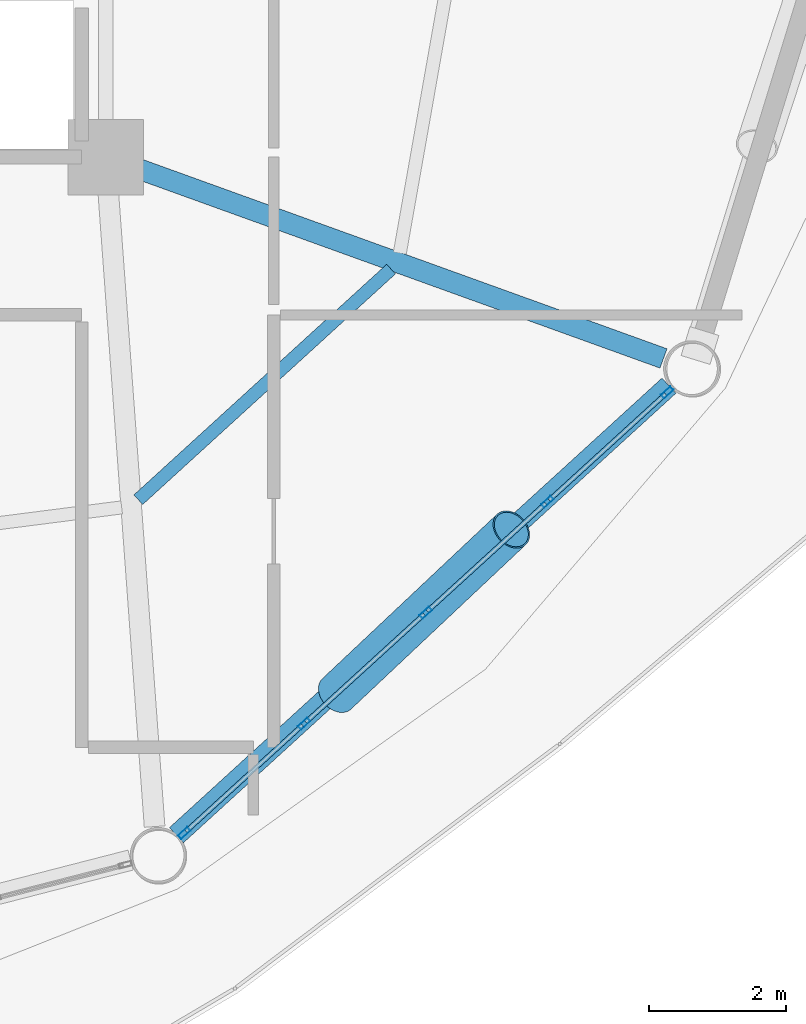
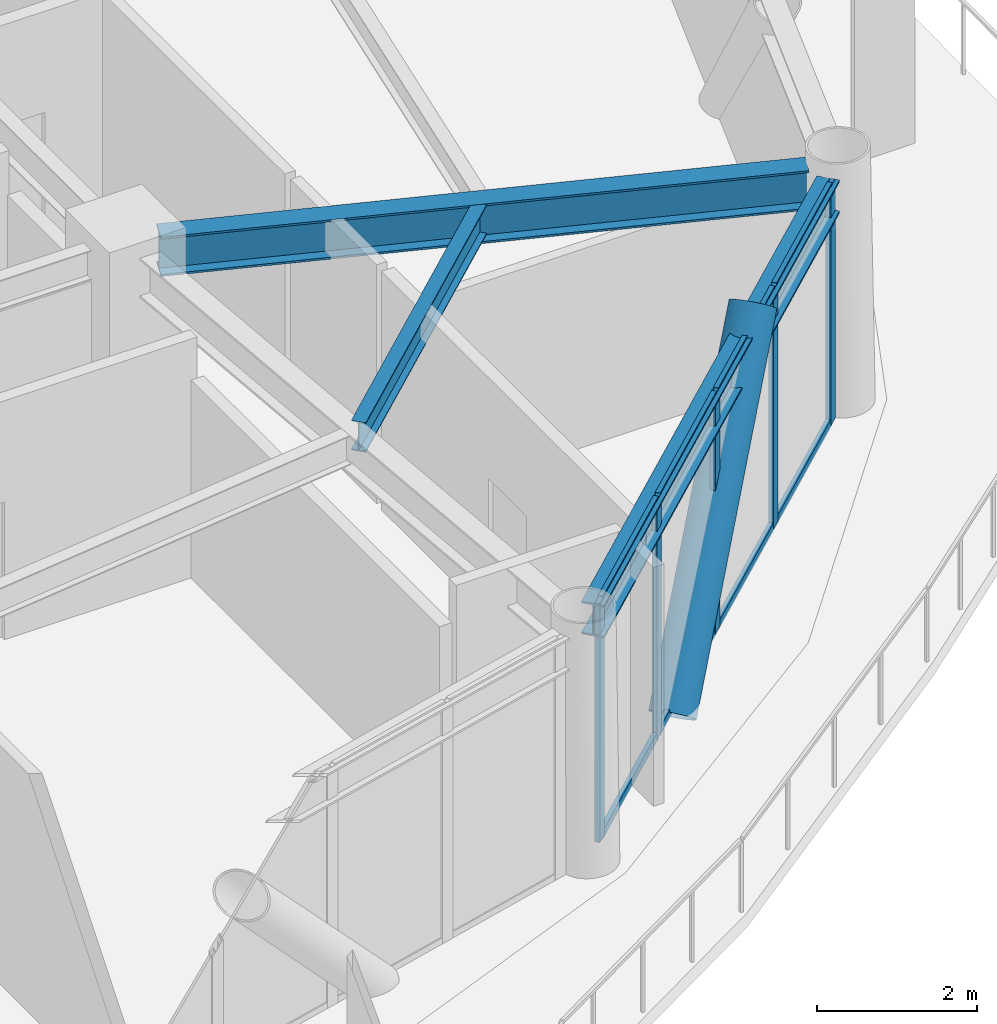
# One storey, part 11 of 23: 14 members, 3 beams, 1 element without a shape of its own.
"""IFC4 building model written with IfcOpenShell, lengths in metres."""

from ifc_helpers import new_model, si_unit, direction, frame, origin, origin_2d, place, context, subcontext, project, spatial, hollow_rectangle, hollow_circle, i_section, extrude, material, layer, layer_set, material_profile, profile_set, type_object, element, aggregate, save


model = new_model("IFC4")

# Units and contexts
model_context = context("Model", 3, precision=1e-05, world=origin(), true_north=direction((0.0, 1.0)))
body_context = subcontext(model_context, "Body", "Model", "MODEL_VIEW")
ifc_project = project(units=[si_unit("LENGTHUNIT", "METRE"), si_unit("AREAUNIT", "SQUARE_METRE"), si_unit("VOLUMEUNIT", "CUBIC_METRE"), si_unit("PLANEANGLEUNIT", "RADIAN"), si_unit("MASSUNIT", "GRAM", prefix="KILO")], contexts=[model_context])

# Site, building, storey
site_placement = place(None, origin())
site = spatial("IfcSite", under=ifc_project, at=site_placement, CompositionType="ELEMENT")
building_placement = place(site_placement, origin())
building = spatial("IfcBuilding", under=site, at=building_placement, Name="Varnakorn Sky Granary", CompositionType="ELEMENT")
storey_placement = place(building_placement, frame((0.0, 0.0, 114.89990234375)))
storey = spatial("IfcBuildingStorey", under=building, at=storey_placement, Name="L28", CompositionType="ELEMENT", Elevation=114.89990234375)

# Beams
ifc_material_1 = material(Name="Steel S355JR", Category="steel")
ifc_material_profile_1 = material_profile(ifc_material_1, i_section(OverallWidth=0.300048828125, OverallDepth=0.60009765625, WebThickness=0.015380859375, FlangeThickness=0.030029296875, at=origin_2d()), Name="HE 600 B")
ifc_profile_set_1 = profile_set([ifc_material_profile_1], Name="Steel S355JR")
beam_type_1 = type_object("IfcBeamType", Name="BM-RAD-Z2", PredefinedType="BEAM", material=ifc_profile_set_1)
beam_1_placement = place(storey_placement, frame((8.7451171875, -6.74267578125, 3.340087890625), z_axis=(0.940572348576, -0.339593370216, 0.0), x_axis=(0.339593370216, 0.940572348576, 0.0)))
element("IfcBeam", 1, at=beam_1_placement, inside=storey, type_object=beam_type_1, Name="Radial Floor Girder RG12 L28", PredefinedType="BEAM", context=body_context, shape_type="SweptSolid", body=[
    extrude(i_section(OverallWidth=0.300048828125, OverallDepth=0.60009765625, WebThickness=0.015380859375, FlangeThickness=0.030029296875, at=origin_2d()), origin(), (0.0, 0.0, 1.0), 8.219482421875),
])
ifc_material_profile_2 = material_profile(ifc_material_1, i_section(OverallWidth=0.18994140625, OverallDepth=0.449951171875, WebThickness=0.009521484375, FlangeThickness=0.0146484375, at=origin_2d()), Name="IPE 450")
ifc_profile_set_2 = profile_set([ifc_material_profile_2], Name="Steel S355JR")
beam_type_2 = type_object("IfcBeamType", Name="BM-SEC-Z2", PredefinedType="BEAM", material=ifc_profile_set_2)
beam_2_placement = place(storey_placement, frame((8.824951171875, -11.591796875, 3.4150390625), z_axis=(0.738766452658, 0.673961518507, 0.0), x_axis=(-0.673961518507, 0.738766452658, 0.0)))
element("IfcBeam", 2, at=beam_2_placement, inside=storey, type_object=beam_type_2, Name="Secondary Floor Chord Beam MSB11 L28", PredefinedType="BEAM", context=body_context, shape_type="SweptSolid", body=[
    extrude(i_section(OverallWidth=0.18994140625, OverallDepth=0.449951171875, WebThickness=0.009521484375, FlangeThickness=0.0146484375, at=origin_2d()), origin(), (0.0, 0.0, 1.0), 4.984130859375),
])
ifc_material_profile_3 = material_profile(ifc_material_1, i_section(OverallWidth=0.300048828125, OverallDepth=0.5, WebThickness=0.014404296875, FlangeThickness=0.028076171875, at=origin_2d()), Name="HE 500 B")
ifc_profile_set_3 = profile_set([ifc_material_profile_3], Name="Steel S355JR")
beam_type_3 = type_object("IfcBeamType", Name="BM-SPD-Z2", PredefinedType="SPANDREL", material=ifc_profile_set_3)
beam_3_placement = place(storey_placement, frame((9.380126953125, -16.479736328125, 3.39013671875), z_axis=(0.738592129146, 0.674152554519, 0.0), x_axis=(-0.674152554519, 0.738592129146, 0.0)))
element("IfcBeam", 3, at=beam_3_placement, inside=storey, type_object=beam_type_3, Name="Perimeter Spandrel Ring Beam RB11 L28", PredefinedType="SPANDREL", context=body_context, shape_type="SweptSolid", body=[
    extrude(i_section(OverallWidth=0.300048828125, OverallDepth=0.5, WebThickness=0.014404296875, FlangeThickness=0.028076171875, at=origin_2d()), origin(), (0.0, 0.0, 1.0), 9.714111328125),
])

# Curtain wall, members
ifc_material_2 = material(Name="Anodised Bronze Aluminium Alloy 6063-T6", Category="aluminium")
ifc_layer = layer(ifc_material_2, 0.179931640625, Name="Anodised Bronze Aluminium Alloy 6063-T6")
ifc_layer_set = layer_set([ifc_layer], Name="Anodised Bronze Aluminium Alloy 6063-T6")
curtain_wall_type = type_object("IfcCurtainWallType", Name="CW-FRM-2", PredefinedType="USERDEFINED", material=ifc_layer_set)
curtain_wall_placement = place(storey_placement, origin())
curtain_wall = element("IfcCurtainWall", 4, at=curtain_wall_placement, inside=storey, type_object=curtain_wall_type, Name="Unitised Curtain Wall CW4 CW-L28-B11", ObjectType="CURTAIN WALL", PredefinedType="USERDEFINED")
ifc_material_profile_4 = material_profile(ifc_material_2, hollow_rectangle(XDim=0.070068359375, YDim=0.18505859375, WallThickness=0.00390625, at=origin_2d()), Name="ALU MULL 70x185")
ifc_profile_set_4 = profile_set([ifc_material_profile_4], Name="Anodised Bronze Aluminium Alloy 6063-T6")
member_type_1 = type_object("IfcMemberType", Name="CW-FRM-2-MULL", PredefinedType="MULLION", material=ifc_profile_set_4)
member_1_placement = place(storey_placement, frame((16.53076171875, -10.029052734375, 0.0), z_axis=(0.0, 0.0, 1.0), x_axis=(0.673924759752, -0.738799985242, 0.0)))
member_1 = element("IfcMember", 5, at=member_1_placement, type_object=member_type_1, Name="CW4 mullion 1", PredefinedType="MULLION", context=body_context, shape_type="SweptSolid", body=[
    extrude(hollow_rectangle(XDim=0.070068359375, YDim=0.18505859375, WallThickness=0.00390625, at=origin_2d()), origin(), (0.0, 0.0, 1.0), 3.64013671875),
])
member_2_placement = place(storey_placement, frame((14.78466796875, -11.621826171875, 0.0), z_axis=(0.0, 0.0, 1.0), x_axis=(0.673924759752, -0.738799985242, 0.0)))
member_2 = element("IfcMember", 6, at=member_2_placement, type_object=member_type_1, Name="CW4 mullion 2", PredefinedType="MULLION", context=body_context, shape_type="SweptSolid", body=[
    extrude(hollow_rectangle(XDim=0.070068359375, YDim=0.18505859375, WallThickness=0.00390625, at=origin_2d()), origin(), (0.0, 0.0, 1.0), 3.64013671875),
])
member_3_placement = place(storey_placement, frame((13.0126953125, -13.238037109375, 0.0), z_axis=(0.0, 0.0, 1.0), x_axis=(0.673924759752, -0.738799985242, 0.0)))
member_3 = element("IfcMember", 7, at=member_3_placement, type_object=member_type_1, Name="CW4 mullion 3", PredefinedType="MULLION", context=body_context, shape_type="SweptSolid", body=[
    extrude(hollow_rectangle(XDim=0.070068359375, YDim=0.18505859375, WallThickness=0.00390625, at=origin_2d()), origin(), (0.0, 0.0, 1.0), 3.64013671875),
])
member_4_placement = place(storey_placement, frame((11.24072265625, -14.8544921875, 0.0), z_axis=(0.0, 0.0, 1.0), x_axis=(0.673924759752, -0.738799985242, 0.0)))
member_4 = element("IfcMember", 8, at=member_4_placement, type_object=member_type_1, Name="CW4 mullion 4", PredefinedType="MULLION", context=body_context, shape_type="SweptSolid", body=[
    extrude(hollow_rectangle(XDim=0.070068359375, YDim=0.18505859375, WallThickness=0.00390625, at=origin_2d()), origin(), (0.0, 0.0, 1.0), 3.64013671875),
])
member_5_placement = place(storey_placement, frame((9.49462890625, -16.447265625, 0.0), z_axis=(0.0, 0.0, 1.0), x_axis=(0.673924759752, -0.738799985242, 0.0)))
member_5 = element("IfcMember", 9, at=member_5_placement, type_object=member_type_1, Name="CW4 mullion 5", PredefinedType="MULLION", context=body_context, shape_type="SweptSolid", body=[
    extrude(hollow_rectangle(XDim=0.070068359375, YDim=0.18505859375, WallThickness=0.00390625, at=origin_2d()), origin(), (0.0, 0.0, 1.0), 3.64013671875),
])
ifc_material_profile_5 = material_profile(ifc_material_2, hollow_rectangle(XDim=0.06494140625, YDim=0.1201171875, WallThickness=0.00341796875, at=origin_2d()), Name="ALU TRAN 65x120")
ifc_profile_set_5 = profile_set([ifc_material_profile_5], Name="Anodised Bronze Aluminium Alloy 6063-T6")
member_type_2 = type_object("IfcMemberType", Name="CW-FRM-2-TRAN", PredefinedType="USERDEFINED", material=ifc_profile_set_5)
member_6_placement = place(storey_placement, frame((16.5048828125, -10.052490234375, 0.03271484375), z_axis=(-0.738778112969, -0.673948736773, 0.0), x_axis=(0.673948736773, -0.738778112969, 0.0)))
member_6 = element("IfcMember", 10, at=member_6_placement, type_object=member_type_2, Name="CW4 transom 1.1", ObjectType="TRANSOM", PredefinedType="USERDEFINED", context=body_context, shape_type="SweptSolid", body=[
    extrude(hollow_rectangle(XDim=0.06494140625, YDim=0.1201171875, WallThickness=0.00341796875, at=origin_2d()), origin(), (0.0, 0.0, 1.0), 2.29345703125),
])
member_7_placement = place(storey_placement, frame((16.5048828125, -10.052490234375, 3.607666015625), z_axis=(-0.738778112969, -0.673948736773, 0.0), x_axis=(0.673948736773, -0.738778112969, 0.0)))
member_7 = element("IfcMember", 11, at=member_7_placement, type_object=member_type_2, Name="CW4 transom 1.2", ObjectType="TRANSOM", PredefinedType="USERDEFINED", context=body_context, shape_type="SweptSolid", body=[
    extrude(hollow_rectangle(XDim=0.06494140625, YDim=0.1201171875, WallThickness=0.00341796875, at=origin_2d()), origin(), (0.0, 0.0, 1.0), 2.29345703125),
])
member_8_placement = place(storey_placement, frame((14.7587890625, -11.645263671875, 0.03271484375), z_axis=(-0.738762361329, -0.673966003211, 0.0), x_axis=(0.673966003211, -0.738762361329, 0.0)))
member_8 = element("IfcMember", 12, at=member_8_placement, type_object=member_type_2, Name="CW4 transom 2.1", ObjectType="TRANSOM", PredefinedType="USERDEFINED", context=body_context, shape_type="SweptSolid", body=[
    extrude(hollow_rectangle(XDim=0.06494140625, YDim=0.1201171875, WallThickness=0.00341796875, at=origin_2d()), origin(), (0.0, 0.0, 1.0), 2.32861328125),
])
member_9_placement = place(storey_placement, frame((14.7587890625, -11.645263671875, 3.607666015625), z_axis=(-0.738762361329, -0.673966003211, 0.0), x_axis=(0.673966003211, -0.738762361329, 0.0)))
member_9 = element("IfcMember", 13, at=member_9_placement, type_object=member_type_2, Name="CW4 transom 2.2", ObjectType="TRANSOM", PredefinedType="USERDEFINED", context=body_context, shape_type="SweptSolid", body=[
    extrude(hollow_rectangle(XDim=0.06494140625, YDim=0.1201171875, WallThickness=0.00341796875, at=origin_2d()), origin(), (0.0, 0.0, 1.0), 2.32861328125),
])
member_10_placement = place(storey_placement, frame((12.98681640625, -13.26171875, 0.03271484375), z_axis=(-0.738762361329, -0.673966003211, 0.0), x_axis=(0.673966003211, -0.738762361329, 0.0)))
member_10 = element("IfcMember", 14, at=member_10_placement, type_object=member_type_2, Name="CW4 transom 3.1", ObjectType="TRANSOM", PredefinedType="USERDEFINED", context=body_context, shape_type="SweptSolid", body=[
    extrude(hollow_rectangle(XDim=0.06494140625, YDim=0.1201171875, WallThickness=0.00341796875, at=origin_2d()), origin(), (0.0, 0.0, 1.0), 2.32861328125),
])
member_11_placement = place(storey_placement, frame((12.98681640625, -13.26171875, 3.607666015625), z_axis=(-0.738762361329, -0.673966003211, 0.0), x_axis=(0.673966003211, -0.738762361329, 0.0)))
member_11 = element("IfcMember", 15, at=member_11_placement, type_object=member_type_2, Name="CW4 transom 3.2", ObjectType="TRANSOM", PredefinedType="USERDEFINED", context=body_context, shape_type="SweptSolid", body=[
    extrude(hollow_rectangle(XDim=0.06494140625, YDim=0.1201171875, WallThickness=0.00341796875, at=origin_2d()), origin(), (0.0, 0.0, 1.0), 2.32861328125),
])
member_12_placement = place(storey_placement, frame((11.21484375, -14.878173828125, 0.03271484375), z_axis=(-0.738778112969, -0.673948736773, 0.0), x_axis=(0.673948736773, -0.738778112969, 0.0)))
member_12 = element("IfcMember", 16, at=member_12_placement, type_object=member_type_2, Name="CW4 transom 4.1", ObjectType="TRANSOM", PredefinedType="USERDEFINED", context=body_context, shape_type="SweptSolid", body=[
    extrude(hollow_rectangle(XDim=0.06494140625, YDim=0.1201171875, WallThickness=0.00341796875, at=origin_2d()), origin(), (0.0, 0.0, 1.0), 2.29345703125),
])
member_13_placement = place(storey_placement, frame((11.21484375, -14.878173828125, 3.607666015625), z_axis=(-0.738778112969, -0.673948736773, 0.0), x_axis=(0.673948736773, -0.738778112969, 0.0)))
member_13 = element("IfcMember", 17, at=member_13_placement, type_object=member_type_2, Name="CW4 transom 4.2", ObjectType="TRANSOM", PredefinedType="USERDEFINED", context=body_context, shape_type="SweptSolid", body=[
    extrude(hollow_rectangle(XDim=0.06494140625, YDim=0.1201171875, WallThickness=0.00341796875, at=origin_2d()), origin(), (0.0, 0.0, 1.0), 2.29345703125),
])
aggregate(curtain_wall, [member_1, member_2, member_3, member_4, member_5, member_6, member_7, member_8, member_9, member_10, member_11, member_12, member_13])

# Member
ifc_material_3 = material(Name="Steel S460M", Category="steel")
ifc_material_profile_6 = material_profile(ifc_material_3, hollow_circle(Radius=0.304931640625, WallThickness=0.022216796875, at=origin_2d()), Name="CHS 610x22")
ifc_profile_set_6 = profile_set([ifc_material_profile_6], Name="Steel S460M")
member_type_3 = type_object("IfcMemberType", Name="MB-DIAG-T1", PredefinedType="BRACE", material=ifc_profile_set_6)
member_14_placement = place(storey_placement, frame((11.71630859375, -14.42041015625, -0.1298828125), z_axis=(0.484413165286, 0.456049560868, 0.746567266446), x_axis=(-0.685469332772, 0.728101499675, 0.0)))
element("IfcMember", 18, at=member_14_placement, inside=storey, type_object=member_type_3, Name="Perimeter CHS Diagrid Brace DG11 L28", PredefinedType="BRACE", context=body_context, shape_type="SweptSolid", body=[
    extrude(hollow_circle(Radius=0.304931640625, WallThickness=0.022216796875, at=origin_2d()), origin(), (0.0, 0.0, 1.0), 5.25048828125),
])

save(model, "model.ifc")
